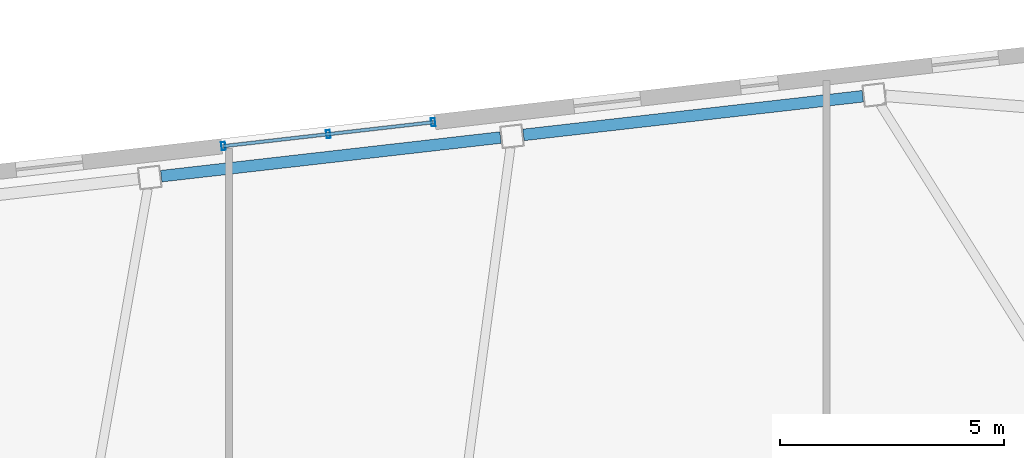
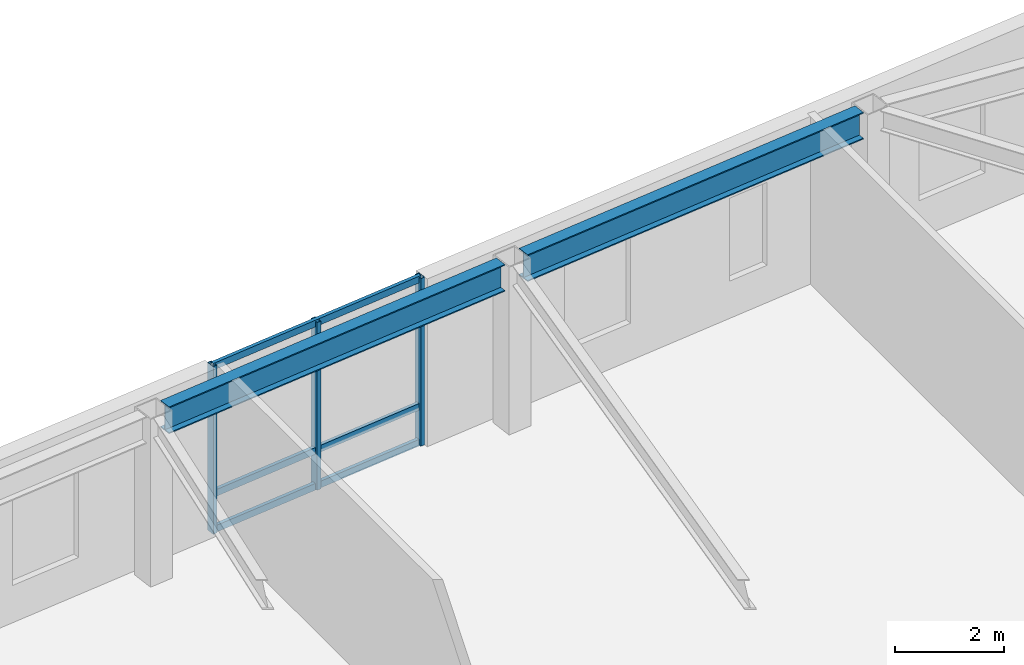
# One storey, part 11 of 19: 6 members, 2 beams, 1 element without a shape of its own.
"""IFC4 building model written with IfcOpenShell, lengths in metres."""

from ifc_helpers import new_model, si_unit, direction, frame, origin, origin_2d, place, context, subcontext, project, spatial, hollow_rectangle, i_section, extrude, material, layer, layer_set, material_profile, profile_set, type_object, element, aggregate, save


model = new_model("IFC4")

# Units and contexts
model_context = context("Model", 3, precision=1e-05, world=origin(), true_north=direction((0.0, 1.0)))
body_context = subcontext(model_context, "Body", "Model", "MODEL_VIEW")
ifc_project = project(units=[si_unit("LENGTHUNIT", "METRE"), si_unit("AREAUNIT", "SQUARE_METRE"), si_unit("VOLUMEUNIT", "CUBIC_METRE"), si_unit("PLANEANGLEUNIT", "RADIAN"), si_unit("MASSUNIT", "GRAM", prefix="KILO")], contexts=[model_context])

# Site, building, storey
site_placement = place(None, origin())
site = spatial("IfcSite", under=ifc_project, at=site_placement, CompositionType="ELEMENT")
building_placement = place(site_placement, origin())
building = spatial("IfcBuilding", under=site, at=building_placement, Name="Tavrogorsk Clinical Tower", CompositionType="ELEMENT")
storey_placement = place(building_placement, frame((0.0, 0.0, 218.199951171875)))
storey = spatial("IfcBuildingStorey", under=building, at=storey_placement, Name="L50", CompositionType="ELEMENT", Elevation=218.199951171875)

# Curtain wall, members
ifc_material_1 = material(Name="Anodised aluminium and triple IGU glazing", Category="aluminium")
ifc_layer = layer(ifc_material_1, 0.179931640625)
ifc_layer_set = layer_set([ifc_layer], Name="Anodised aluminium and triple IGU glazing")
curtain_wall_type = type_object("IfcCurtainWallType", Name="CW2_NorthSlot", PredefinedType="NOTDEFINED", material=ifc_layer_set)
curtain_wall_placement = place(storey_placement, origin())
curtain_wall = element("IfcCurtainWall", 1, at=curtain_wall_placement, inside=storey, type_object=curtain_wall_type, Name="L50 Curtain Wall CW-L50-N-SLOT-2", PredefinedType="NOTDEFINED")
ifc_material_2 = material(Name="Anodised aluminium alloy AW-6060", Category="aluminium")
ifc_material_profile_1 = material_profile(ifc_material_2, hollow_rectangle(XDim=0.090087890625, YDim=0.179931640625, WallThickness=0.00634765625, at=origin_2d()), Name="RHS-180x90x6.3")
ifc_profile_set_1 = profile_set([ifc_material_profile_1], Name="Anodised aluminium alloy AW-6060")
member_type_1 = type_object("IfcMemberType", Name="CwMullion_180x90", PredefinedType="MULLION", material=ifc_profile_set_1)
member_1_placement = place(storey_placement, frame((5.410400390625, 27.270263671875, 0.0), z_axis=(0.0, 0.0, 1.0), x_axis=(-0.993571855603, -0.11320321441, 0.0)))
member_1 = element("IfcMember", 2, at=member_1_placement, type_object=member_type_1, Name="CW-L50-N-SLOT-2 Mullion 1", PredefinedType="MULLION", context=body_context, shape_type="SweptSolid", body=[
    extrude(hollow_rectangle(XDim=0.090087890625, YDim=0.179931640625, WallThickness=0.00634765625, at=origin_2d()), origin(), (0.0, 0.0, 1.0), 3.739990234375),
])
member_2_placement = place(storey_placement, frame((3.06640625, 27.003173828125, 0.0), z_axis=(0.0, 0.0, 1.0), x_axis=(-0.993571855603, -0.11320321441, 0.0)))
member_2 = element("IfcMember", 3, at=member_2_placement, type_object=member_type_1, Name="CW-L50-N-SLOT-2 Mullion 2", PredefinedType="MULLION", context=body_context, shape_type="SweptSolid", body=[
    extrude(hollow_rectangle(XDim=0.090087890625, YDim=0.179931640625, WallThickness=0.00634765625, at=origin_2d()), origin(), (0.0, 0.0, 1.0), 3.739990234375),
])
member_3_placement = place(storey_placement, frame((0.72265625, 26.736083984375, 0.0), z_axis=(0.0, 0.0, 1.0), x_axis=(-0.993571855603, -0.11320321441, 0.0)))
member_3 = element("IfcMember", 4, at=member_3_placement, type_object=member_type_1, Name="CW-L50-N-SLOT-2 Mullion 3", PredefinedType="MULLION", context=body_context, shape_type="SweptSolid", body=[
    extrude(hollow_rectangle(XDim=0.090087890625, YDim=0.179931640625, WallThickness=0.00634765625, at=origin_2d()), origin(), (0.0, 0.0, 1.0), 3.739990234375),
])
ifc_material_3 = material(Name="Anodised aluminium alloy AW-6060", Category="aluminium")
ifc_material_profile_2 = material_profile(ifc_material_3, hollow_rectangle(XDim=0.074951171875, YDim=0.14990234375, WallThickness=0.0048828125, at=origin_2d()), Name="RHS-150x75x5")
ifc_profile_set_2 = profile_set([ifc_material_profile_2], Name="Anodised aluminium alloy AW-6060")
member_type_2 = type_object("IfcMemberType", Name="CwTransom_150x75", PredefinedType="USERDEFINED", material=ifc_profile_set_2)
member_4_placement = place(storey_placement, frame((5.410400390625, 27.270263671875, 0.050048828125), z_axis=(-0.993569979218, -0.113219682023, 0.0), x_axis=(0.113219682023, -0.993569979218, 0.0)))
member_4 = element("IfcMember", 5, at=member_4_placement, type_object=member_type_2, Name="CW-L50-N-SLOT-2 Transom 1", ObjectType="TRANSOM", PredefinedType="USERDEFINED", context=body_context, shape_type="SweptSolid", body=[
    extrude(hollow_rectangle(XDim=0.074951171875, YDim=0.14990234375, WallThickness=0.0048828125, at=origin_2d()), origin(), (0.0, 0.0, 1.0), 4.718017578125),
])
member_5_placement = place(storey_placement, frame((5.410400390625, 27.270263671875, 0.85009765625), z_axis=(-0.993569979218, -0.113219682023, 0.0), x_axis=(0.113219682023, -0.993569979218, 0.0)))
member_5 = element("IfcMember", 6, at=member_5_placement, type_object=member_type_2, Name="CW-L50-N-SLOT-2 Transom 2", ObjectType="TRANSOM", PredefinedType="USERDEFINED", context=body_context, shape_type="SweptSolid", body=[
    extrude(hollow_rectangle(XDim=0.074951171875, YDim=0.14990234375, WallThickness=0.0048828125, at=origin_2d()), origin(), (0.0, 0.0, 1.0), 4.718017578125),
])
member_6_placement = place(storey_placement, frame((5.410400390625, 27.270263671875, 3.68994140625), z_axis=(-0.993569979218, -0.113219682023, 0.0), x_axis=(0.113219682023, -0.993569979218, 0.0)))
member_6 = element("IfcMember", 7, at=member_6_placement, type_object=member_type_2, Name="CW-L50-N-SLOT-2 Transom 3", ObjectType="TRANSOM", PredefinedType="USERDEFINED", context=body_context, shape_type="SweptSolid", body=[
    extrude(hollow_rectangle(XDim=0.074951171875, YDim=0.14990234375, WallThickness=0.0048828125, at=origin_2d()), origin(), (0.0, 0.0, 1.0), 4.718017578125),
])
aggregate(curtain_wall, [member_1, member_2, member_3, member_4, member_5, member_6])

# Beams
ifc_material_4 = material(Name="Structural steel S390", Category="steel")
ifc_material_profile_3 = material_profile(ifc_material_4, i_section(OverallWidth=0.260009765625, OverallDepth=0.60009765625, WebThickness=0.014892578125, FlangeThickness=0.02392578125, at=origin_2d()), Name="B-600x260x15x24")
ifc_profile_set_3 = profile_set([ifc_material_profile_3], Name="Structural steel S390")
beam_type = type_object("IfcBeamType", Name="SpandrelBeam_B600", PredefinedType="SPANDREL", material=ifc_profile_set_3)
for number, where, z_axis, x_axis, name in (
    (8, (15.01220703125, 27.850830078125, 3.43994140625), (-0.993572099834, -0.113201070804, 0.0), (0.113201070804, -0.993572099834, 0.0), "L50 Perimeter Spandrel N2-N3"),
    (9, (6.916015625, 26.928466796875, 3.43994140625), (-0.993572099834, -0.113201070804, 0.0), (0.113201070804, -0.993572099834, 0.0), "L50 Perimeter Spandrel N3-N4"),
):
    element("IfcBeam", number, at=place(storey_placement, frame(where, z_axis=z_axis, x_axis=x_axis)), inside=storey, type_object=beam_type, Name=name, PredefinedType="SPANDREL", context=body_context, shape_type="SweptSolid", body=[
        extrude(i_section(OverallWidth=0.260009765625, OverallDepth=0.60009765625, WebThickness=0.014892578125, FlangeThickness=0.02392578125, at=origin_2d()), origin(), (0.0, 0.0, 1.0), 7.632568359375),
    ])

save(model, "model.ifc")
